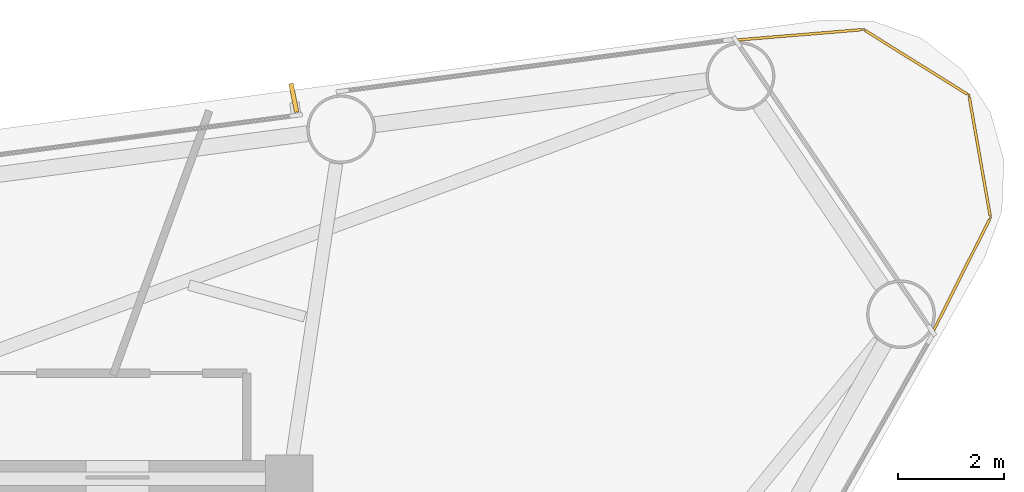
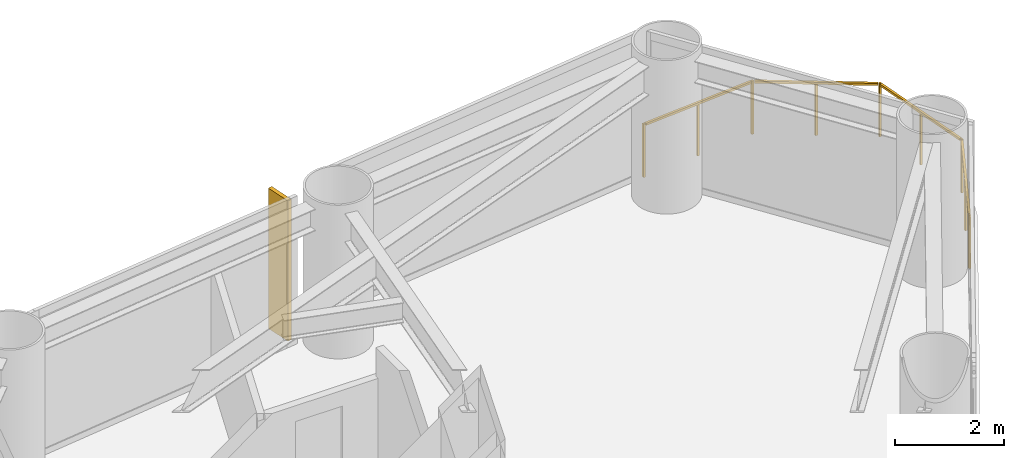
# One storey, part 10 of 10: 1 railing, 1 shading device.
"""IFC4 building model written with IfcOpenShell, lengths in metres."""

from ifc_helpers import new_model, si_unit, direction, frame, origin, origin_2d, place, context, subcontext, project, spatial, rectangle, extrude, source, transform, mapped, material, material_profile, profile_set, type_object, element, save


model = new_model("IFC4")

# Units and contexts
model_context = context("Model", 3, precision=1e-05, world=origin(), true_north=direction((0.0, 1.0)))
body_context = subcontext(model_context, "Body", "Model", "MODEL_VIEW")
ifc_project = project(units=[si_unit("LENGTHUNIT", "METRE"), si_unit("AREAUNIT", "SQUARE_METRE"), si_unit("VOLUMEUNIT", "CUBIC_METRE"), si_unit("PLANEANGLEUNIT", "RADIAN"), si_unit("MASSUNIT", "GRAM", prefix="KILO")], contexts=[model_context])

# Site, building, storey
site_placement = place(None, origin())
site = spatial("IfcSite", under=ifc_project, at=site_placement, CompositionType="ELEMENT")
building_placement = place(site_placement, origin())
building = spatial("IfcBuilding", under=site, at=building_placement, Name="Yunling Apex Tower", CompositionType="ELEMENT")
storey_placement = place(building_placement, frame((0.0, 0.0, 158.75)))
storey = spatial("IfcBuildingStorey", under=building, at=storey_placement, Name="L38", CompositionType="ELEMENT", Elevation=158.75)

# Railing
ifc_material = material(Name="Bronze anodised aluminium", Category="aluminium")
railing_type = type_object("IfcRailingType", Name="RL-BAL-1200", PredefinedType="BALUSTRADE", material=ifc_material)
railing_placement = place(storey_placement, frame((14.496337890625, 13.798095703125, 0.0)))
element("IfcRailing", 1, at=railing_placement, inside=storey, type_object=railing_type, Name="RL-CRNSILL-L38-1", PredefinedType="BALUSTRADE", context=body_context, shape_type="SweptSolid", body=[
    extrude(rectangle(XDim=0.0439453125, YDim=0.0439453125, at=origin_2d()), origin(), (0.0, 0.0, 1.0), 1.199951171875),
    extrude(rectangle(XDim=0.0439453125, YDim=0.0439453125, at=origin_2d()), frame((2.421142578125, 0.2001953125, 0.0)), (0.0, 0.0, 1.0), 1.199951171875),
    extrude(rectangle(XDim=0.050048828125, YDim=0.050048828125, at=origin_2d()), frame((0.0380859375, 0.003173828125, 1.1748046875), z_axis=(0.99659891826, 0.082405073407, 0.0), x_axis=(-0.082405073407, 0.99659891826, 0.0)), (0.0, 0.0, 1.0), 2.352783203125),
    extrude(rectangle(XDim=0.0439453125, YDim=0.0439453125, at=origin_2d()), frame((1.21044921875, 0.10009765625, 0.0)), (0.0, 0.0, 1.0), 1.14599609375),
    extrude(rectangle(XDim=0.0439453125, YDim=0.0439453125, at=origin_2d()), frame((4.412841796875, -1.043701171875, 0.0)), (0.0, 0.0, 1.0), 1.199951171875),
    extrude(rectangle(XDim=0.050048828125, YDim=0.050048828125, at=origin_2d()), frame((2.45361328125, 0.179931640625, 1.1748046875), z_axis=(0.84817348515, -0.52971854705, 0.0), x_axis=(0.52971854705, 0.84817348515, 0.0)), (0.0, 0.0, 1.0), 2.271484375),
    extrude(rectangle(XDim=0.0439453125, YDim=0.0439453125, at=origin_2d()), frame((3.4169921875, -0.421875, 0.0)), (0.0, 0.0, 1.0), 1.14599609375),
    extrude(rectangle(XDim=0.0439453125, YDim=0.0439453125, at=origin_2d()), frame((4.820068359375, -3.356201171875, 0.0)), (0.0, 0.0, 1.0), 1.199951171875),
    extrude(rectangle(XDim=0.050048828125, YDim=0.050048828125, at=origin_2d()), frame((4.41943359375, -1.08154296875, 1.1748046875), z_axis=(0.173429436748, -0.984846297891, 0.0), x_axis=(0.984846297891, 0.173429436748, 0.0)), (0.0, 0.0, 1.0), 2.271484375),
    extrude(rectangle(XDim=0.0439453125, YDim=0.0439453125, at=origin_2d()), frame((4.616455078125, -2.199951171875, 0.0)), (0.0, 0.0, 1.0), 1.14599609375),
    extrude(rectangle(XDim=0.0439453125, YDim=0.0439453125, at=origin_2d()), frame((3.7275390625, -5.526123046875, 0.0)), (0.0, 0.0, 1.0), 1.199951171875),
    extrude(rectangle(XDim=0.050048828125, YDim=0.050048828125, at=origin_2d()), frame((4.802734375, -3.390380859375, 1.1748046875), z_axis=(-0.449704074189, -0.893177611485, 0.0), x_axis=(0.893177611485, -0.449704074189, 0.0)), (0.0, 0.0, 1.0), 2.352783203125),
    extrude(rectangle(XDim=0.0439453125, YDim=0.0439453125, at=origin_2d()), frame((4.27392578125, -4.441162109375, 0.0)), (0.0, 0.0, 1.0), 1.14599609375),
])

# Shading device
ifc_material_profile = material_profile(ifc_material, rectangle(XDim=0.0849609375, YDim=0.550048828125, at=origin_2d()))
ifc_profile_set = profile_set([ifc_material_profile], Name="Bronze anodised aluminium")
shading_device_type = type_object("IfcShadingDeviceType", Name="FN-BRZ-3", PredefinedType="USERDEFINED", material=ifc_profile_set)
shared_shape = source(origin(), body_context, "Body", "SweptSolid", [
    extrude(rectangle(XDim=0.0849609375, YDim=0.550048828125, at=origin_2d()), origin(), (0.0, 0.0, 1.0), 3.14990234375),
])
shading_device_placement = place(storey_placement, frame((6.13671875, 12.706787109375, 0.06005859375), z_axis=(0.0, 0.0, 1.0), x_axis=(-0.980648842665, -0.195774991714, 0.0)))
element("IfcShadingDevice", 2, at=shading_device_placement, inside=storey, type_object=shading_device_type, Name="CW-L38-F2-B2-FIN-01", ObjectType="FIN", PredefinedType="USERDEFINED", context=body_context, shape_type="MappedRepresentation", body=[
    mapped(shared_shape, transform((0.0, 0.0, 0.0), scale=1.0)),
])

save(model, "model.ifc")
